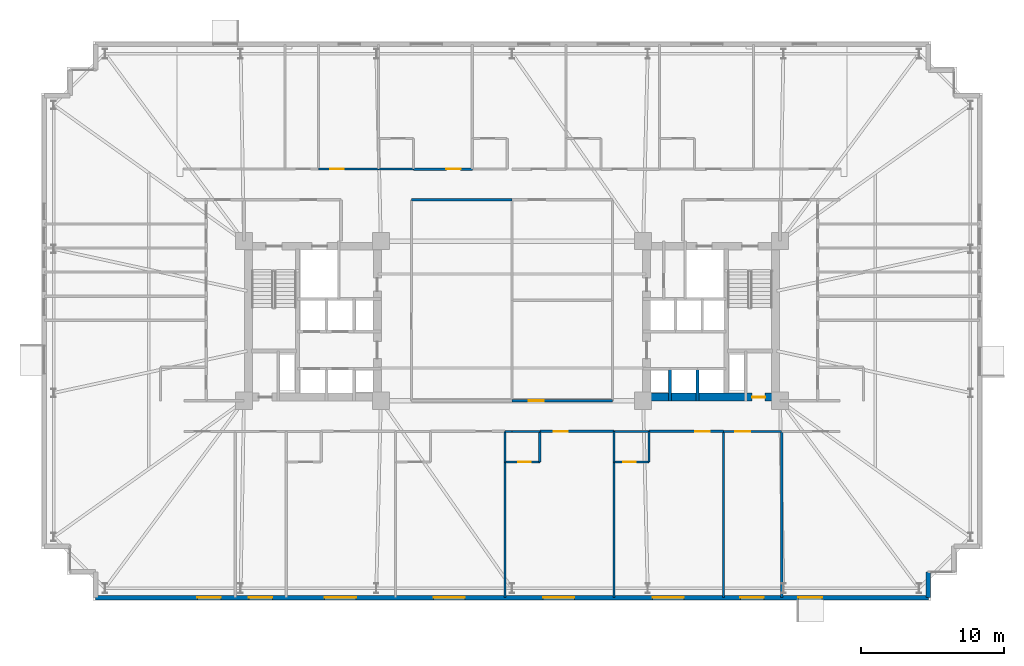
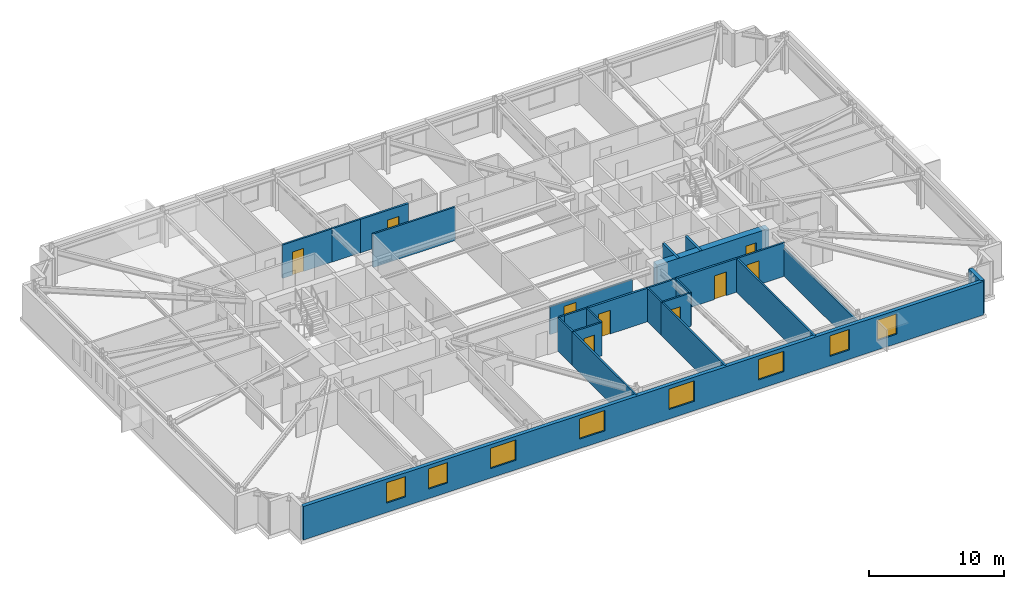
# One storey, part 16 of 22: 26 walls, 9 doors, 8 windows, 17 openings.
"""IFC4 building model written with IfcOpenShell, lengths in metres."""

from ifc_helpers import new_model, si_unit, direction, frame, frame_2d, origin, place, context, subcontext, project, spatial, rectangle, extrude, material, layer, layer_set, type_object, element, fill, save


model = new_model("IFC4")

# Units and contexts
model_context = context("Model", 3, precision=1e-05, world=origin(), true_north=direction((0.0, 1.0)))
body_context = subcontext(model_context, "Body", "Model", "MODEL_VIEW")
ifc_project = project(units=[si_unit("LENGTHUNIT", "METRE"), si_unit("AREAUNIT", "SQUARE_METRE"), si_unit("VOLUMEUNIT", "CUBIC_METRE"), si_unit("PLANEANGLEUNIT", "RADIAN"), si_unit("MASSUNIT", "GRAM", prefix="KILO")], contexts=[model_context])

# Site, building, storey
site_placement = place(None, origin())
site = spatial("IfcSite", under=ifc_project, at=site_placement, CompositionType="ELEMENT")
building_placement = place(site_placement, origin())
building = spatial("IfcBuilding", under=site, at=building_placement, Name="Qobustan Lattice House", CompositionType="ELEMENT")
storey_placement = place(building_placement, frame((0.0, 0.0, 33.699951171875)))
storey = spatial("IfcBuildingStorey", under=building, at=storey_placement, Name="L08", CompositionType="ELEMENT", Elevation=33.699951171875)

# Wall, opening, door
ifc_material_1 = material(Name="Concrete C60/75", Category="concrete")
ifc_layer_1 = layer(ifc_material_1, 0.56005859375)
ifc_layer_set_1 = layer_set([ifc_layer_1], Name="Concrete C60/75")
wall_type_1 = type_object("IfcWallType", Name="WAL-CORE-600", PredefinedType="SHEAR", material=ifc_layer_set_1)
wall_1_placement = place(storey_placement, frame((9.199951171875, -5.35009765625, 0.0), z_axis=(0.0, 0.0, 1.0), x_axis=(1.0, 0.0, 0.0)))
wall_1 = element("IfcWall", 1, at=wall_1_placement, inside=storey, type_object=wall_type_1, Name="L08 split-core shear wall CE-S", PredefinedType="SHEAR", context=body_context, shape_type="SweptSolid", body=[
    extrude(rectangle(XDim=9.60009765625, YDim=0.56005859375, at=frame_2d((4.800048828125, 0.0))), origin(), (0.0, 0.0, 1.0), 3.03515625),
])
opening_1_placement = place(wall_1_placement, frame((7.64990234375, 0.0, 0.0)))
opening_1 = element("IfcOpeningElement", 2, at=opening_1_placement, cuts=wall_1, Name="Opening RD-01", PredefinedType="OPENING", context=body_context, shape_type="SweptSolid", body=[
    extrude(rectangle(XDim=0.89990234375, YDim=2.10009765625, at=frame_2d((0.449951171875, 1.050048828125))), frame((0.0, 0.2900390625, 0.0), z_axis=(0.0, -1.0, 0.0), x_axis=(1.0, 0.0, 0.0)), (0.0, 0.0, 1.0), 0.580078125),
])
ifc_material_2 = material(Name="Persian walnut timber and steel frame door", Category="steel")
door_type_1 = type_object("IfcDoorType", Name="DOR-RISER-FD-900x2100", OperationType="NOTDEFINED", PredefinedType="DOOR", material=ifc_material_2)
door_1_placement = place(opening_1_placement, origin())
door_1 = element("IfcDoor", 3, at=door_1_placement, inside=storey, type_object=door_type_1, Name="L08 core service riser access door E", OperationType="SINGLE_SWING_RIGHT", OverallHeight=2.10009765625, OverallWidth=0.89990234375, PredefinedType="DOOR", context=body_context, shape_type="SweptSolid", body=[
    extrude(rectangle(XDim=0.89990234375, YDim=2.10009765625, at=frame_2d((0.449951171875, 1.050048828125))), frame((0.0, 0.02490234375, 0.0), z_axis=(0.0, -1.0, 0.0), x_axis=(1.0, 0.0, 0.0)), (0.0, 0.0, 1.0), 0.050048828125),
])
fill(opening_1, door_1)

# Wall
ifc_material_3 = material(Name="Precast concrete C40/50", Category="concrete")
ifc_layer_2 = layer(ifc_material_3, 0.320068359375)
ifc_layer_set_2 = layer_set([ifc_layer_2], Name="Precast concrete C40/50")
wall_type_2 = type_object("IfcWallType", Name="WAL-EXT-STONE-320", PredefinedType="SOLIDWALL", material=ifc_layer_set_2)
wall_2_placement = place(storey_placement, frame((29.199951171875, -17.60009765625, 0.0), z_axis=(0.0, 0.0, 1.0), x_axis=(0.0, -1.0, 0.0)))
element("IfcWall", 4, at=wall_2_placement, inside=storey, type_object=wall_type_2, Name="L08 exterior limestone-clad wall 19", PredefinedType="SOLIDWALL", context=body_context, shape_type="SweptSolid", body=[
    extrude(rectangle(XDim=1.7998046875, YDim=0.320068359375, at=frame_2d((0.89990234375, 0.0))), origin(), (0.0, 0.0, 1.0), 3.03515625),
])

# Wall, openings, windows
wall_3_placement = place(storey_placement, frame((29.199951171875, -19.39990234375, 0.0), z_axis=(0.0, 0.0, 1.0), x_axis=(-1.0, 0.0, 0.0)))
wall_3 = element("IfcWall", 5, at=wall_3_placement, inside=storey, type_object=wall_type_2, Name="L08 exterior limestone-clad wall 20", PredefinedType="SOLIDWALL", context=body_context, shape_type="SweptSolid", body=[
    extrude(rectangle(XDim=58.39990234375, YDim=0.320068359375, at=frame_2d((29.199951171875, 0.0))), origin(), (0.0, 0.0, 1.0), 3.03515625),
])
opening_2_placement = place(wall_3_placement, frame((7.455078125, 0.0, 0.85009765625)))
opening_2 = element("IfcOpeningElement", 6, at=opening_2_placement, cuts=wall_3, Name="Opening WN-09", PredefinedType="OPENING", context=body_context, shape_type="SweptSolid", body=[
    extrude(rectangle(XDim=1.64990234375, YDim=1.85009765625, at=frame_2d((0.824951171875, 0.925048828125))), frame((0.0, 0.169921875, 0.0), z_axis=(0.0, -1.0, 0.0), x_axis=(1.0, 0.0, 0.0)), (0.0, 0.0, 1.0), 0.340087890625),
])
opening_3_placement = place(wall_3_placement, frame((11.534912109375, 0.0, 0.85009765625)))
opening_3 = element("IfcOpeningElement", 7, at=opening_3_placement, cuts=wall_3, Name="Opening WN-09", PredefinedType="OPENING", context=body_context, shape_type="SweptSolid", body=[
    extrude(rectangle(XDim=1.64990234375, YDim=1.85009765625, at=frame_2d((0.824951171875, 0.925048828125))), frame((0.0, 0.169921875, 0.0), z_axis=(0.0, -1.0, 0.0), x_axis=(1.0, 0.0, 0.0)), (0.0, 0.0, 1.0), 0.340087890625),
])
opening_4_placement = place(wall_3_placement, frame((17.139892578125, 0.0, 0.85009765625)))
opening_4 = element("IfcOpeningElement", 8, at=opening_4_placement, cuts=wall_3, Name="Opening WN-03", PredefinedType="OPENING", context=body_context, shape_type="SweptSolid", body=[
    extrude(rectangle(XDim=2.199951171875, YDim=1.85009765625, at=frame_2d((1.10009765625, 0.925048828125))), frame((0.0, 0.169921875, 0.0), z_axis=(0.0, -1.0, 0.0), x_axis=(1.0, 0.0, 0.0)), (0.0, 0.0, 1.0), 0.340087890625),
])
opening_5_placement = place(wall_3_placement, frame((24.820068359375, 0.0, 0.85009765625)))
opening_5 = element("IfcOpeningElement", 9, at=opening_5_placement, cuts=wall_3, Name="Opening WN-03", PredefinedType="OPENING", context=body_context, shape_type="SweptSolid", body=[
    extrude(rectangle(XDim=2.199951171875, YDim=1.85009765625, at=frame_2d((1.10009765625, 0.925048828125))), frame((0.0, 0.169921875, 0.0), z_axis=(0.0, -1.0, 0.0), x_axis=(1.0, 0.0, 0.0)), (0.0, 0.0, 1.0), 0.340087890625),
])
opening_6_placement = place(wall_3_placement, frame((32.5, 0.0, 0.85009765625)))
opening_6 = element("IfcOpeningElement", 10, at=opening_6_placement, cuts=wall_3, Name="Opening WN-03", PredefinedType="OPENING", context=body_context, shape_type="SweptSolid", body=[
    extrude(rectangle(XDim=2.199951171875, YDim=1.85009765625, at=frame_2d((1.10009765625, 0.925048828125))), frame((0.0, 0.169921875, 0.0), z_axis=(0.0, -1.0, 0.0), x_axis=(1.0, 0.0, 0.0)), (0.0, 0.0, 1.0), 0.340087890625),
])
opening_7_placement = place(wall_3_placement, frame((40.139892578125, 0.0, 0.85009765625)))
opening_7 = element("IfcOpeningElement", 11, at=opening_7_placement, cuts=wall_3, Name="Opening WN-03", PredefinedType="OPENING", context=body_context, shape_type="SweptSolid", body=[
    extrude(rectangle(XDim=2.199951171875, YDim=1.85009765625, at=frame_2d((1.10009765625, 0.925048828125))), frame((0.0, 0.169921875, 0.0), z_axis=(0.0, -1.0, 0.0), x_axis=(1.0, 0.0, 0.0)), (0.0, 0.0, 1.0), 0.340087890625),
])
opening_8_placement = place(wall_3_placement, frame((46.014892578125, 0.0, 0.85009765625)))
opening_8 = element("IfcOpeningElement", 12, at=opening_8_placement, cuts=wall_3, Name="Opening WN-09", PredefinedType="OPENING", context=body_context, shape_type="SweptSolid", body=[
    extrude(rectangle(XDim=1.64990234375, YDim=1.85009765625, at=frame_2d((0.824951171875, 0.925048828125))), frame((0.0, 0.169921875, 0.0), z_axis=(0.0, -1.0, 0.0), x_axis=(1.0, 0.0, 0.0)), (0.0, 0.0, 1.0), 0.340087890625),
])
opening_9_placement = place(wall_3_placement, frame((49.614990234375, 0.0, 0.85009765625)))
opening_9 = element("IfcOpeningElement", 13, at=opening_9_placement, cuts=wall_3, Name="Opening WN-09", PredefinedType="OPENING", context=body_context, shape_type="SweptSolid", body=[
    extrude(rectangle(XDim=1.64990234375, YDim=1.85009765625, at=frame_2d((0.824951171875, 0.925048828125))), frame((0.0, 0.169921875, 0.0), z_axis=(0.0, -1.0, 0.0), x_axis=(1.0, 0.0, 0.0)), (0.0, 0.0, 1.0), 0.340087890625),
])
ifc_material_4 = material(Name="Double-glazed low-E aluminium window", Category="aluminium")
window_type_1 = type_object("IfcWindowType", Name="WIN-STU-1650x1850", PartitioningType="SINGLE_PANEL", PredefinedType="WINDOW", material=ifc_material_4)
window_1_placement = place(opening_2_placement, origin())
window_1 = element("IfcWindow", 14, at=window_1_placement, inside=storey, type_object=window_type_1, Name="L08 Academic seminar room window", OverallHeight=1.85009765625, OverallWidth=1.64990234375, PartitioningType="SINGLE_PANEL", PredefinedType="WINDOW", context=body_context, shape_type="SweptSolid", body=[
    extrude(rectangle(XDim=1.64990234375, YDim=1.85009765625, at=frame_2d((0.824951171875, 0.925048828125))), frame((0.0, 0.030029296875, 0.0), z_axis=(0.0, -1.0, 0.0), x_axis=(1.0, 0.0, 0.0)), (0.0, 0.0, 1.0), 0.06005859375),
])
fill(opening_2, window_1)
window_2_placement = place(opening_3_placement, origin())
window_2 = element("IfcWindow", 15, at=window_2_placement, inside=storey, type_object=window_type_1, Name="L08 Group study room window", OverallHeight=1.85009765625, OverallWidth=1.64990234375, PartitioningType="SINGLE_PANEL", PredefinedType="WINDOW", context=body_context, shape_type="SweptSolid", body=[
    extrude(rectangle(XDim=1.64990234375, YDim=1.85009765625, at=frame_2d((0.824951171875, 0.925048828125))), frame((0.0, 0.030029296875, 0.0), z_axis=(0.0, -1.0, 0.0), x_axis=(1.0, 0.0, 0.0)), (0.0, 0.0, 1.0), 0.06005859375),
])
fill(opening_3, window_2)
window_3_placement = place(opening_8_placement, origin())
window_3 = element("IfcWindow", 16, at=window_3_placement, inside=storey, type_object=window_type_1, Name="L08 Focus study room S1B window", OverallHeight=1.85009765625, OverallWidth=1.64990234375, PartitioningType="SINGLE_PANEL", PredefinedType="WINDOW", context=body_context, shape_type="SweptSolid", body=[
    extrude(rectangle(XDim=1.64990234375, YDim=1.85009765625, at=frame_2d((0.824951171875, 0.925048828125))), frame((0.0, 0.030029296875, 0.0), z_axis=(0.0, -1.0, 0.0), x_axis=(1.0, 0.0, 0.0)), (0.0, 0.0, 1.0), 0.06005859375),
])
fill(opening_8, window_3)
window_4_placement = place(opening_9_placement, origin())
window_4 = element("IfcWindow", 17, at=window_4_placement, inside=storey, type_object=window_type_1, Name="L08 Focus study room S1A window", OverallHeight=1.85009765625, OverallWidth=1.64990234375, PartitioningType="SINGLE_PANEL", PredefinedType="WINDOW", context=body_context, shape_type="SweptSolid", body=[
    extrude(rectangle(XDim=1.64990234375, YDim=1.85009765625, at=frame_2d((0.824951171875, 0.925048828125))), frame((0.0, 0.030029296875, 0.0), z_axis=(0.0, -1.0, 0.0), x_axis=(1.0, 0.0, 0.0)), (0.0, 0.0, 1.0), 0.06005859375),
])
fill(opening_9, window_4)
ifc_material_5 = material(Name="Double-glazed low-E aluminium window", Category="aluminium")
window_type_2 = type_object("IfcWindowType", Name="WIN-WIDE-2200x1850", PartitioningType="SINGLE_PANEL", PredefinedType="WINDOW", material=ifc_material_5)
window_5_placement = place(opening_4_placement, origin())
window_5 = element("IfcWindow", 18, at=window_5_placement, inside=storey, type_object=window_type_2, Name="L08 Kitchenette and studio apartment L08-S5 window", OverallHeight=1.85009765625, OverallWidth=2.199951171875, PartitioningType="SINGLE_PANEL", PredefinedType="WINDOW", context=body_context, shape_type="SweptSolid", body=[
    extrude(rectangle(XDim=2.199951171875, YDim=1.85009765625, at=frame_2d((1.10009765625, 0.925048828125))), frame((0.0, 0.030029296875, 0.0), z_axis=(0.0, -1.0, 0.0), x_axis=(1.0, 0.0, 0.0)), (0.0, 0.0, 1.0), 0.06005859375),
])
fill(opening_4, window_5)
window_6_placement = place(opening_5_placement, origin())
window_6 = element("IfcWindow", 19, at=window_6_placement, inside=storey, type_object=window_type_2, Name="L08 Kitchenette and studio apartment L08-S4 window", OverallHeight=1.85009765625, OverallWidth=2.199951171875, PartitioningType="SINGLE_PANEL", PredefinedType="WINDOW", context=body_context, shape_type="SweptSolid", body=[
    extrude(rectangle(XDim=2.199951171875, YDim=1.85009765625, at=frame_2d((1.10009765625, 0.925048828125))), frame((0.0, 0.030029296875, 0.0), z_axis=(0.0, -1.0, 0.0), x_axis=(1.0, 0.0, 0.0)), (0.0, 0.0, 1.0), 0.06005859375),
])
fill(opening_5, window_6)
window_7_placement = place(opening_6_placement, origin())
window_7 = element("IfcWindow", 20, at=window_7_placement, inside=storey, type_object=window_type_2, Name="L08 Kitchenette and studio apartment L08-S3 window", OverallHeight=1.85009765625, OverallWidth=2.199951171875, PartitioningType="SINGLE_PANEL", PredefinedType="WINDOW", context=body_context, shape_type="SweptSolid", body=[
    extrude(rectangle(XDim=2.199951171875, YDim=1.85009765625, at=frame_2d((1.10009765625, 0.925048828125))), frame((0.0, 0.030029296875, 0.0), z_axis=(0.0, -1.0, 0.0), x_axis=(1.0, 0.0, 0.0)), (0.0, 0.0, 1.0), 0.06005859375),
])
fill(opening_6, window_7)
window_8_placement = place(opening_7_placement, origin())
window_8 = element("IfcWindow", 21, at=window_8_placement, inside=storey, type_object=window_type_2, Name="L08 Kitchenette and studio apartment L08-S2 window", OverallHeight=1.85009765625, OverallWidth=2.199951171875, PartitioningType="SINGLE_PANEL", PredefinedType="WINDOW", context=body_context, shape_type="SweptSolid", body=[
    extrude(rectangle(XDim=2.199951171875, YDim=1.85009765625, at=frame_2d((1.10009765625, 0.925048828125))), frame((0.0, 0.030029296875, 0.0), z_axis=(0.0, -1.0, 0.0), x_axis=(1.0, 0.0, 0.0)), (0.0, 0.0, 1.0), 0.06005859375),
])
fill(opening_7, window_8)

# Wall, opening, door
ifc_material_6 = material(Name="Gypsum fireboard acoustic partition", Category="gypsum")
ifc_layer_3 = layer(ifc_material_6, 0.179931640625)
ifc_layer_set_3 = layer_set([ifc_layer_3], Name="Gypsum fireboard acoustic partition")
wall_type_3 = type_object("IfcWallType", Name="WAL-FIRE-180", PredefinedType="PARTITIONING", material=ifc_layer_set_3)
wall_4_placement = place(storey_placement, frame((-6.906982421875, 10.64990234375, 0.0), z_axis=(0.0, 0.0, 1.0), x_axis=(1.0, 0.0, 0.0)))
wall_4 = element("IfcWall", 22, at=wall_4_placement, inside=storey, type_object=wall_type_3, Name="L08 interior partition 41", PredefinedType="PARTITIONING", context=body_context, shape_type="SweptSolid", body=[
    extrude(rectangle(XDim=4.12109375, YDim=0.179931640625, at=frame_2d((2.060546875, 0.0))), origin(), (0.0, 0.0, 1.0), 3.03515625),
])
opening_10_placement = place(wall_4_placement, frame((2.2958984375, 0.0, 0.0)))
opening_10 = element("IfcOpeningElement", 23, at=opening_10_placement, cuts=wall_4, Name="Opening FD-02", PredefinedType="OPENING", context=body_context, shape_type="SweptSolid", body=[
    extrude(rectangle(XDim=1.0, YDim=2.14990234375, at=frame_2d((0.5, 1.074951171875))), frame((0.0, 0.099853515625, 0.0), z_axis=(0.0, -1.0, 0.0), x_axis=(1.0, 0.0, 0.0)), (0.0, 0.0, 1.0), 0.199951171875),
])
ifc_material_7 = material(Name="Persian walnut timber and steel frame door", Category="steel")
door_type_2 = type_object("IfcDoorType", Name="DOR-UNIT-FD-1000x2150", OperationType="NOTDEFINED", PredefinedType="DOOR", material=ifc_material_7)
door_2_placement = place(opening_10_placement, origin())
door_2 = element("IfcDoor", 24, at=door_2_placement, inside=storey, type_object=door_type_2, Name="L08 North-west floor corridor to Kitchenette and studio apartment L08-N3 door", OperationType="SINGLE_SWING_RIGHT", OverallHeight=2.14990234375, OverallWidth=1.0, PredefinedType="DOOR", context=body_context, shape_type="SweptSolid", body=[
    extrude(rectangle(XDim=1.0, YDim=2.14990234375, at=frame_2d((0.5, 1.074951171875))), frame((0.0, 0.02490234375, 0.0), z_axis=(0.0, -1.0, 0.0), x_axis=(1.0, 0.0, 0.0)), (0.0, 0.0, 1.0), 0.050048828125),
])
fill(opening_10, door_2)

wall_5_placement = place(storey_placement, frame((7.1669921875, -7.75, 0.0), z_axis=(0.0, 0.0, 1.0), x_axis=(-1.0, 0.0, 0.0)))
wall_5 = element("IfcWall", 25, at=wall_5_placement, inside=storey, type_object=wall_type_3, Name="L08 interior partition 66", PredefinedType="PARTITIONING", context=body_context, shape_type="SweptSolid", body=[
    extrude(rectangle(XDim=5.217041015625, YDim=0.179931640625, at=frame_2d((2.6083984375, 0.0))), origin(), (0.0, 0.0, 1.0), 3.03515625),
])
opening_11_placement = place(wall_5_placement, frame((3.2548828125, 0.0, 0.0)))
opening_11 = element("IfcOpeningElement", 26, at=opening_11_placement, cuts=wall_5, Name="Opening FD-02", PredefinedType="OPENING", context=body_context, shape_type="SweptSolid", body=[
    extrude(rectangle(XDim=1.0, YDim=2.14990234375, at=frame_2d((0.5, 1.074951171875))), frame((0.0, 0.099853515625, 0.0), z_axis=(0.0, -1.0, 0.0), x_axis=(1.0, 0.0, 0.0)), (0.0, 0.0, 1.0), 0.199951171875),
])
door_3_placement = place(opening_11_placement, origin())
door_3 = element("IfcDoor", 27, at=door_3_placement, inside=storey, type_object=door_type_2, Name="L08 South-east floor corridor to Kitchenette and studio apartment L08-S4 door", OperationType="SINGLE_SWING_LEFT", OverallHeight=2.14990234375, OverallWidth=1.0, PredefinedType="DOOR", context=body_context, shape_type="SweptSolid", body=[
    extrude(rectangle(XDim=1.0, YDim=2.14990234375, at=frame_2d((0.5, 1.074951171875))), frame((0.0, 0.02490234375, 0.0), z_axis=(0.0, -1.0, 0.0), x_axis=(1.0, 0.0, 0.0)), (0.0, 0.0, 1.0), 0.050048828125),
])
fill(opening_11, door_3)

wall_6_placement = place(storey_placement, frame((14.8330078125, -7.75, 0.0), z_axis=(0.0, 0.0, 1.0), x_axis=(-1.0, 0.0, 0.0)))
wall_6 = element("IfcWall", 28, at=wall_6_placement, inside=storey, type_object=wall_type_3, Name="L08 interior partition 68", PredefinedType="PARTITIONING", context=body_context, shape_type="SweptSolid", body=[
    extrude(rectangle(XDim=5.216064453125, YDim=0.179931640625, at=frame_2d((2.60791015625, 0.0))), origin(), (0.0, 0.0, 1.0), 3.03515625),
])
opening_12_placement = place(wall_6_placement, frame((0.9619140625, 0.0, 0.0)))
opening_12 = element("IfcOpeningElement", 29, at=opening_12_placement, cuts=wall_6, Name="Opening FD-02", PredefinedType="OPENING", context=body_context, shape_type="SweptSolid", body=[
    extrude(rectangle(XDim=1.0, YDim=2.14990234375, at=frame_2d((0.5, 1.074951171875))), frame((0.0, 0.099853515625, 0.0), z_axis=(0.0, -1.0, 0.0), x_axis=(1.0, 0.0, 0.0)), (0.0, 0.0, 1.0), 0.199951171875),
])
door_4_placement = place(opening_12_placement, origin())
door_4 = element("IfcDoor", 30, at=door_4_placement, inside=storey, type_object=door_type_2, Name="L08 South-east floor corridor to Kitchenette and studio apartment L08-S5 door", OperationType="SINGLE_SWING_RIGHT", OverallHeight=2.14990234375, OverallWidth=1.0, PredefinedType="DOOR", context=body_context, shape_type="SweptSolid", body=[
    extrude(rectangle(XDim=1.0, YDim=2.14990234375, at=frame_2d((0.5, 1.074951171875))), frame((0.0, 0.02490234375, 0.0), z_axis=(0.0, -1.0, 0.0), x_axis=(1.0, 0.0, 0.0)), (0.0, 0.0, 1.0), 0.050048828125),
])
fill(opening_12, door_4)

ifc_material_8 = material(Name="Acoustic twin-stud gypsum partition", Category="gypsum")
ifc_layer_4 = layer(ifc_material_8, 0.14990234375)
ifc_layer_set_4 = layer_set([ifc_layer_4], Name="Acoustic twin-stud gypsum partition")
wall_type_4 = type_object("IfcWallType", Name="WAL-PART-150", PredefinedType="PARTITIONING", material=ifc_layer_set_4)
wall_7_placement = place(storey_placement, frame((-13.5791015625, 10.64990234375, 0.0), z_axis=(0.0, 0.0, 1.0), x_axis=(1.0, 0.0, 0.0)))
wall_7 = element("IfcWall", 31, at=wall_7_placement, inside=storey, type_object=wall_type_4, Name="L08 interior partition 40", PredefinedType="PARTITIONING", context=body_context, shape_type="SweptSolid", body=[
    extrude(rectangle(XDim=4.22216796875, YDim=0.14990234375, at=frame_2d((2.111083984375, 0.0))), origin(), (0.0, 0.0, 1.0), 3.03515625),
])
opening_13_placement = place(wall_7_placement, frame((0.843994140625, 0.0, 0.0)))
opening_13 = element("IfcOpeningElement", 32, at=opening_13_placement, cuts=wall_7, Name="Opening ID-01", PredefinedType="OPENING", context=body_context, shape_type="SweptSolid", body=[
    extrude(rectangle(XDim=0.949951171875, YDim=2.10009765625, at=frame_2d((0.47509765625, 1.050048828125))), frame((0.0, 0.0849609375, 0.0), z_axis=(0.0, -1.0, 0.0), x_axis=(1.0, 0.0, 0.0)), (0.0, 0.0, 1.0), 0.169921875),
])
ifc_material_9 = material(Name="Persian walnut timber and steel frame door", Category="steel")
door_type_3 = type_object("IfcDoorType", Name="DOR-ROOM-950x2100", OperationType="NOTDEFINED", PredefinedType="DOOR", material=ifc_material_9)
door_5_placement = place(opening_13_placement, origin())
door_5 = element("IfcDoor", 33, at=door_5_placement, inside=storey, type_object=door_type_3, Name="L08 North-west floor corridor to Laundry utility room door", OperationType="SINGLE_SWING_LEFT", OverallHeight=2.10009765625, OverallWidth=0.949951171875, PredefinedType="DOOR", context=body_context, shape_type="SweptSolid", body=[
    extrude(rectangle(XDim=0.949951171875, YDim=2.10009765625, at=frame_2d((0.47509765625, 1.050048828125))), frame((0.0, 0.02490234375, 0.0), z_axis=(0.0, -1.0, 0.0), x_axis=(1.0, 0.0, 0.0)), (0.0, 0.0, 1.0), 0.050048828125),
])
fill(opening_13, door_5)

# Wall
wall_8_placement = place(storey_placement, frame((0.0, 8.5, 0.0), z_axis=(0.0, 0.0, 1.0), x_axis=(-1.0, 0.0, 0.0)))
element("IfcWall", 34, at=wall_8_placement, inside=storey, type_object=wall_type_4, Name="L08 interior partition 44", PredefinedType="PARTITIONING", context=body_context, shape_type="SweptSolid", body=[
    extrude(rectangle(XDim=7.050048828125, YDim=0.14990234375, at=frame_2d((3.52490234375, 0.0))), origin(), (0.0, 0.0, 1.0), 3.03515625),
])

# Wall, opening, door
wall_9_placement = place(storey_placement, frame((18.91650390625, -7.75, 0.0), z_axis=(0.0, 0.0, 1.0), x_axis=(-1.0, 0.0, 0.0)))
wall_9 = element("IfcWall", 35, at=wall_9_placement, inside=storey, type_object=wall_type_4, Name="L08 interior partition 70", PredefinedType="PARTITIONING", context=body_context, shape_type="SweptSolid", body=[
    extrude(rectangle(XDim=4.08349609375, YDim=0.14990234375, at=frame_2d((2.041748046875, 0.0))), origin(), (0.0, 0.0, 1.0), 3.03515625),
])
opening_14_placement = place(wall_9_placement, frame((2.21923828125, 0.0, 0.0)))
opening_14 = element("IfcOpeningElement", 36, at=opening_14_placement, cuts=wall_9, Name="Opening ID-02", PredefinedType="OPENING", context=body_context, shape_type="SweptSolid", body=[
    extrude(rectangle(XDim=1.050048828125, YDim=2.14990234375, at=frame_2d((0.52490234375, 1.074951171875))), frame((0.0, 0.0849609375, 0.0), z_axis=(0.0, -1.0, 0.0), x_axis=(1.0, 0.0, 0.0)), (0.0, 0.0, 1.0), 0.169921875),
])
ifc_material_10 = material(Name="Persian walnut timber and steel frame door", Category="steel")
door_type_4 = type_object("IfcDoorType", Name="DOR-STUDY-1050x2150", OperationType="NOTDEFINED", PredefinedType="DOOR", material=ifc_material_10)
door_6_placement = place(opening_14_placement, origin())
door_6 = element("IfcDoor", 37, at=door_6_placement, inside=storey, type_object=door_type_4, Name="L08 South-east floor corridor to Group study room door", OperationType="SINGLE_SWING_LEFT", OverallHeight=2.14990234375, OverallWidth=1.050048828125, PredefinedType="DOOR", context=body_context, shape_type="SweptSolid", body=[
    extrude(rectangle(XDim=1.050048828125, YDim=2.14990234375, at=frame_2d((0.52490234375, 1.074951171875))), frame((0.0, 0.02490234375, 0.0), z_axis=(0.0, -1.0, 0.0), x_axis=(1.0, 0.0, 0.0)), (0.0, 0.0, 1.0), 0.050048828125),
])
fill(opening_14, door_6)

wall_10_placement = place(storey_placement, frame((0.0, -5.60009765625, 0.0), z_axis=(0.0, 0.0, 1.0), x_axis=(1.0, 0.0, 0.0)))
wall_10 = element("IfcWall", 38, at=wall_10_placement, inside=storey, type_object=wall_type_4, Name="L08 interior partition 72", PredefinedType="PARTITIONING", context=body_context, shape_type="SweptSolid", body=[
    extrude(rectangle(XDim=7.050048828125, YDim=0.14990234375, at=frame_2d((3.52490234375, 0.0))), origin(), (0.0, 0.0, 1.0), 2.52001953125),
])
opening_15_placement = place(wall_10_placement, frame((1.18505859375, 0.0, 0.0)))
opening_15 = element("IfcOpeningElement", 39, at=opening_15_placement, cuts=wall_10, Name="Opening ID-02", PredefinedType="OPENING", context=body_context, shape_type="SweptSolid", body=[
    extrude(rectangle(XDim=1.050048828125, YDim=2.14990234375, at=frame_2d((0.52490234375, 1.074951171875))), frame((0.0, 0.0849609375, 0.0), z_axis=(0.0, -1.0, 0.0), x_axis=(1.0, 0.0, 0.0)), (0.0, 0.0, 1.0), 0.169921875),
])
door_7_placement = place(opening_15_placement, origin())
door_7 = element("IfcDoor", 40, at=door_7_placement, inside=storey, type_object=door_type_4, Name="L08 South-east floor corridor to Seminar breakout room door", OperationType="SINGLE_SWING_LEFT", OverallHeight=2.14990234375, OverallWidth=1.050048828125, PredefinedType="DOOR", context=body_context, shape_type="SweptSolid", body=[
    extrude(rectangle(XDim=1.050048828125, YDim=2.14990234375, at=frame_2d((0.52490234375, 1.074951171875))), frame((0.0, 0.02490234375, 0.0), z_axis=(0.0, -1.0, 0.0), x_axis=(1.0, 0.0, 0.0)), (0.0, 0.0, 1.0), 0.050048828125),
])
fill(opening_15, door_7)

# Walls
for number, where, z_axis, x_axis, name in (
    (41, (-0.5, -9.89990234375, 0.0), (0.0, 0.0, 1.0), (0.0, -1.0, 0.0), "L08 interior partition 132"),
    (42, (7.1669921875, -9.89990234375, 0.0), (0.0, 0.0, 1.0), (0.0, -1.0, 0.0), "L08 interior partition 136"),
):
    element("IfcWall", number, at=place(storey_placement, frame(where, z_axis=z_axis, x_axis=x_axis)), inside=storey, type_object=wall_type_4, Name=name, PredefinedType="PARTITIONING", context=body_context, shape_type="SweptSolid", body=[
        extrude(rectangle(XDim=9.5, YDim=0.14990234375, at=frame_2d((4.75, 0.0))), origin(), (0.0, 0.0, 1.0), 3.03515625),
    ])
wall_11_placement = place(storey_placement, frame((14.8330078125, -7.75, 0.0), z_axis=(0.0, 0.0, 1.0), x_axis=(0.0, -1.0, 0.0)))
element("IfcWall", 43, at=wall_11_placement, inside=storey, type_object=wall_type_4, Name="L08 interior partition 140", PredefinedType="PARTITIONING", context=body_context, shape_type="SweptSolid", body=[
    extrude(rectangle(XDim=11.64990234375, YDim=0.14990234375, at=frame_2d((5.824951171875, 0.0))), origin(), (0.0, 0.0, 1.0), 3.03515625),
])
wall_12_placement = place(storey_placement, frame((18.91650390625, -7.75, 0.0), z_axis=(0.0, 0.0, 1.0), x_axis=(0.0, -1.0, 0.0)))
element("IfcWall", 44, at=wall_12_placement, inside=storey, type_object=wall_type_4, Name="L08 interior partition 141", PredefinedType="PARTITIONING", context=body_context, shape_type="SweptSolid", body=[
    extrude(rectangle(XDim=11.64990234375, YDim=0.14990234375, at=frame_2d((5.824951171875, 0.0))), origin(), (0.0, 0.0, 1.0), 2.52001953125),
])
ifc_material_11 = material(Name="Concrete C40/50", Category="concrete")
ifc_layer_5 = layer(ifc_material_11, 0.199951171875)
ifc_layer_set_5 = layer_set([ifc_layer_5], Name="Concrete C40/50")
wall_type_5 = type_object("IfcWallType", Name="WAL-SHAFT-200", PredefinedType="PARTITIONING", material=ifc_layer_set_5)
for number, where, z_axis, x_axis, name in (
    (45, (11.080078125, -5.60009765625, 0.0), (0.0, 0.0, 1.0), (0.0, 1.0, 0.0), "L08 interior partition 32"),
    (46, (13.02001953125, -5.60009765625, 0.0), (0.0, 0.0, 1.0), (0.0, 1.0, 0.0), "L08 interior partition 33"),
):
    element("IfcWall", number, at=place(storey_placement, frame(where, z_axis=z_axis, x_axis=x_axis)), inside=storey, type_object=wall_type_5, Name=name, PredefinedType="PARTITIONING", context=body_context, shape_type="SweptSolid", body=[
        extrude(rectangle(XDim=2.25, YDim=0.199951171875, at=frame_2d((1.125, 0.0))), origin(), (0.0, 0.0, 1.0), 3.03515625),
    ])
ifc_material_12 = material(Name="Moisture-resistant acoustic plumbing wall", Category="gypsum")
ifc_layer_6 = layer(ifc_material_12, 0.14990234375)
ifc_layer_set_6 = layer_set([ifc_layer_6], Name="Moisture-resistant acoustic plumbing wall")
wall_type_6 = type_object("IfcWallType", Name="WAL-WET-150", PredefinedType="PLUMBINGWALL", material=ifc_layer_set_6)
wall_13_placement = place(storey_placement, frame((-9.35693359375, 10.64990234375, 0.0), z_axis=(0.0, 0.0, 1.0), x_axis=(1.0, 0.0, 0.0)))
element("IfcWall", 47, at=wall_13_placement, inside=storey, type_object=wall_type_6, Name="L08 interior partition 42", PredefinedType="PLUMBINGWALL", context=body_context, shape_type="SweptSolid", body=[
    extrude(rectangle(XDim=2.449951171875, YDim=0.14990234375, at=frame_2d((1.22509765625, 0.0))), origin(), (0.0, 0.0, 1.0), 3.03515625),
])
wall_14_placement = place(storey_placement, frame((0.0, -7.75, 0.0), z_axis=(0.0, 0.0, 1.0), x_axis=(-1.0, 0.0, 0.0)))
element("IfcWall", 48, at=wall_14_placement, inside=storey, type_object=wall_type_6, Name="L08 interior partition 62", PredefinedType="PLUMBINGWALL", context=body_context, shape_type="SweptSolid", body=[
    extrude(rectangle(XDim=0.5, YDim=0.14990234375, at=frame_2d((0.25, 0.0))), origin(), (0.0, 0.0, 1.0), 3.03515625),
])
wall_15_placement = place(storey_placement, frame((1.949951171875, -7.75, 0.0), z_axis=(0.0, 0.0, 1.0), x_axis=(-1.0, 0.0, 0.0)))
element("IfcWall", 49, at=wall_15_placement, inside=storey, type_object=wall_type_6, Name="L08 interior partition 67", PredefinedType="PLUMBINGWALL", context=body_context, shape_type="SweptSolid", body=[
    extrude(rectangle(XDim=1.949951171875, YDim=0.14990234375, at=frame_2d((0.97509765625, 0.0))), origin(), (0.0, 0.0, 1.0), 3.03515625),
])
wall_16_placement = place(storey_placement, frame((9.616943359375, -7.75, 0.0), z_axis=(0.0, 0.0, 1.0), x_axis=(-1.0, 0.0, 0.0)))
element("IfcWall", 50, at=wall_16_placement, inside=storey, type_object=wall_type_6, Name="L08 interior partition 69", PredefinedType="PLUMBINGWALL", context=body_context, shape_type="SweptSolid", body=[
    extrude(rectangle(XDim=2.449951171875, YDim=0.14990234375, at=frame_2d((1.22509765625, 0.0))), origin(), (0.0, 0.0, 1.0), 3.03515625),
])
wall_17_placement = place(storey_placement, frame((-0.5, -7.75, 0.0), z_axis=(0.0, 0.0, 1.0), x_axis=(0.0, -1.0, 0.0)))
element("IfcWall", 51, at=wall_17_placement, inside=storey, type_object=wall_type_6, Name="L08 interior partition 133", PredefinedType="PLUMBINGWALL", context=body_context, shape_type="SweptSolid", body=[
    extrude(rectangle(XDim=2.14990234375, YDim=0.14990234375, at=frame_2d((1.074951171875, 0.0))), origin(), (0.0, 0.0, 1.0), 3.03515625),
])

# Wall, opening, door
wall_18_placement = place(storey_placement, frame((-0.5, -9.89990234375, 0.0), z_axis=(0.0, 0.0, 1.0), x_axis=(1.0, 0.0, 0.0)))
wall_18 = element("IfcWall", 52, at=wall_18_placement, inside=storey, type_object=wall_type_6, Name="L08 interior partition 134", PredefinedType="PLUMBINGWALL", context=body_context, shape_type="SweptSolid", body=[
    extrude(rectangle(XDim=2.449951171875, YDim=0.14990234375, at=frame_2d((1.22509765625, 0.0))), origin(), (0.0, 0.0, 1.0), 3.03515625),
])
opening_16_placement = place(wall_18_placement, frame((0.92138671875, 0.0, 0.0)))
opening_16 = element("IfcOpeningElement", 53, at=opening_16_placement, cuts=wall_18, Name="Opening WD-01", PredefinedType="OPENING", context=body_context, shape_type="SweptSolid", body=[
    extrude(rectangle(XDim=0.89990234375, YDim=2.10009765625, at=frame_2d((0.449951171875, 1.050048828125))), frame((0.0, 0.0849609375, 0.0), z_axis=(0.0, -1.0, 0.0), x_axis=(1.0, 0.0, 0.0)), (0.0, 0.0, 1.0), 0.169921875),
])
ifc_material_13 = material(Name="Persian walnut timber and steel frame door", Category="steel")
door_type_5 = type_object("IfcDoorType", Name="DOR-WET-900x2100", OperationType="NOTDEFINED", PredefinedType="DOOR", material=ifc_material_13)
door_8_placement = place(opening_16_placement, origin())
door_8 = element("IfcDoor", 54, at=door_8_placement, inside=storey, type_object=door_type_5, Name="L08 Kitchenette and studio apartment L08-S4 to En-suite bathroom L08-S4 door", OperationType="SINGLE_SWING_LEFT", OverallHeight=2.10009765625, OverallWidth=0.89990234375, PredefinedType="DOOR", context=body_context, shape_type="SweptSolid", body=[
    extrude(rectangle(XDim=0.89990234375, YDim=2.10009765625, at=frame_2d((0.449951171875, 1.050048828125))), frame((0.0, 0.02490234375, 0.0), z_axis=(0.0, -1.0, 0.0), x_axis=(1.0, 0.0, 0.0)), (0.0, 0.0, 1.0), 0.050048828125),
])
fill(opening_16, door_8)

# Walls
for number, where, z_axis, x_axis, name in (
    (55, (1.949951171875, -9.89990234375, 0.0), (0.0, 0.0, 1.0), (0.0, 1.0, 0.0), "L08 interior partition 135"),
    (56, (7.1669921875, -7.75, 0.0), (0.0, 0.0, 1.0), (0.0, -1.0, 0.0), "L08 interior partition 137"),
):
    element("IfcWall", number, at=place(storey_placement, frame(where, z_axis=z_axis, x_axis=x_axis)), inside=storey, type_object=wall_type_6, Name=name, PredefinedType="PLUMBINGWALL", context=body_context, shape_type="SweptSolid", body=[
        extrude(rectangle(XDim=2.14990234375, YDim=0.14990234375, at=frame_2d((1.074951171875, 0.0))), origin(), (0.0, 0.0, 1.0), 3.03515625),
    ])

# Wall, opening, door
wall_19_placement = place(storey_placement, frame((7.1669921875, -9.89990234375, 0.0), z_axis=(0.0, 0.0, 1.0), x_axis=(1.0, 0.0, 0.0)))
wall_19 = element("IfcWall", 57, at=wall_19_placement, inside=storey, type_object=wall_type_6, Name="L08 interior partition 138", PredefinedType="PLUMBINGWALL", context=body_context, shape_type="SweptSolid", body=[
    extrude(rectangle(XDim=2.449951171875, YDim=0.14990234375, at=frame_2d((1.22509765625, 0.0))), origin(), (0.0, 0.0, 1.0), 3.03515625),
])
opening_17_placement = place(wall_19_placement, frame((0.62890625, 0.0, 0.0)))
opening_17 = element("IfcOpeningElement", 58, at=opening_17_placement, cuts=wall_19, Name="Opening WD-01", PredefinedType="OPENING", context=body_context, shape_type="SweptSolid", body=[
    extrude(rectangle(XDim=0.89990234375, YDim=2.10009765625, at=frame_2d((0.449951171875, 1.050048828125))), frame((0.0, 0.0849609375, 0.0), z_axis=(0.0, -1.0, 0.0), x_axis=(1.0, 0.0, 0.0)), (0.0, 0.0, 1.0), 0.169921875),
])
door_9_placement = place(opening_17_placement, origin())
door_9 = element("IfcDoor", 59, at=door_9_placement, inside=storey, type_object=door_type_5, Name="L08 Kitchenette and studio apartment L08-S5 to En-suite bathroom L08-S5 door", OperationType="SINGLE_SWING_RIGHT", OverallHeight=2.10009765625, OverallWidth=0.89990234375, PredefinedType="DOOR", context=body_context, shape_type="SweptSolid", body=[
    extrude(rectangle(XDim=0.89990234375, YDim=2.10009765625, at=frame_2d((0.449951171875, 1.050048828125))), frame((0.0, 0.02490234375, 0.0), z_axis=(0.0, -1.0, 0.0), x_axis=(1.0, 0.0, 0.0)), (0.0, 0.0, 1.0), 0.050048828125),
])
fill(opening_17, door_9)

# Wall
wall_20_placement = place(storey_placement, frame((9.616943359375, -9.89990234375, 0.0), z_axis=(0.0, 0.0, 1.0), x_axis=(0.0, 1.0, 0.0)))
element("IfcWall", 60, at=wall_20_placement, inside=storey, type_object=wall_type_6, Name="L08 interior partition 139", PredefinedType="PLUMBINGWALL", context=body_context, shape_type="SweptSolid", body=[
    extrude(rectangle(XDim=2.14990234375, YDim=0.14990234375, at=frame_2d((1.074951171875, 0.0))), origin(), (0.0, 0.0, 1.0), 3.03515625),
])

save(model, "model.ifc")
